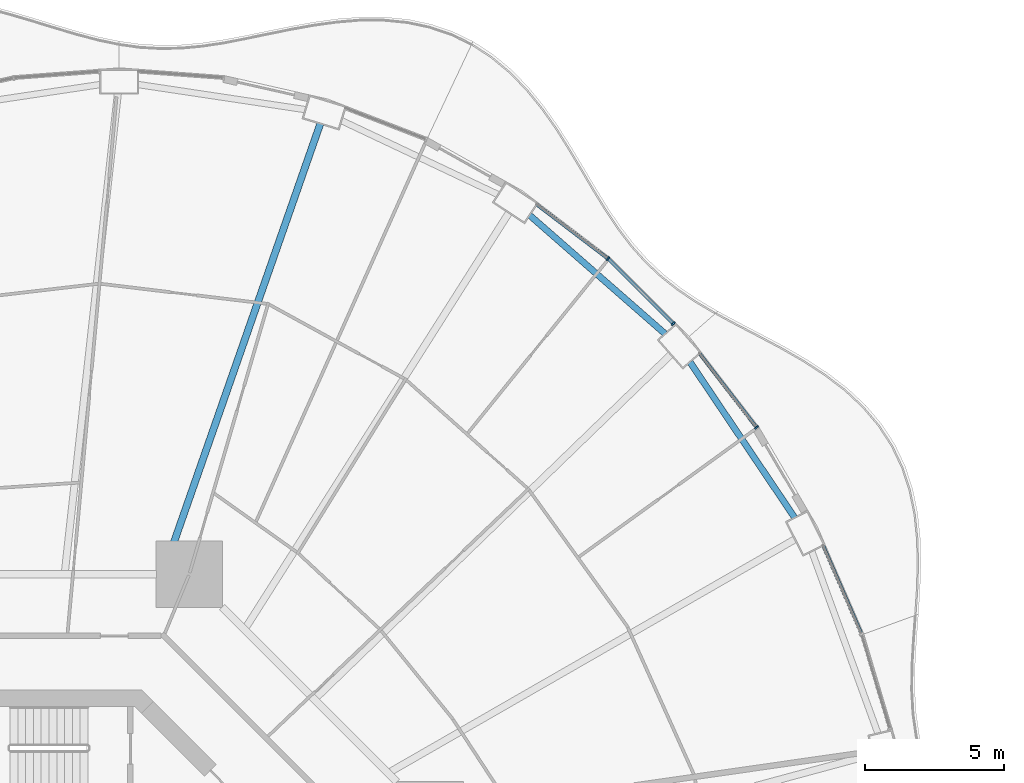
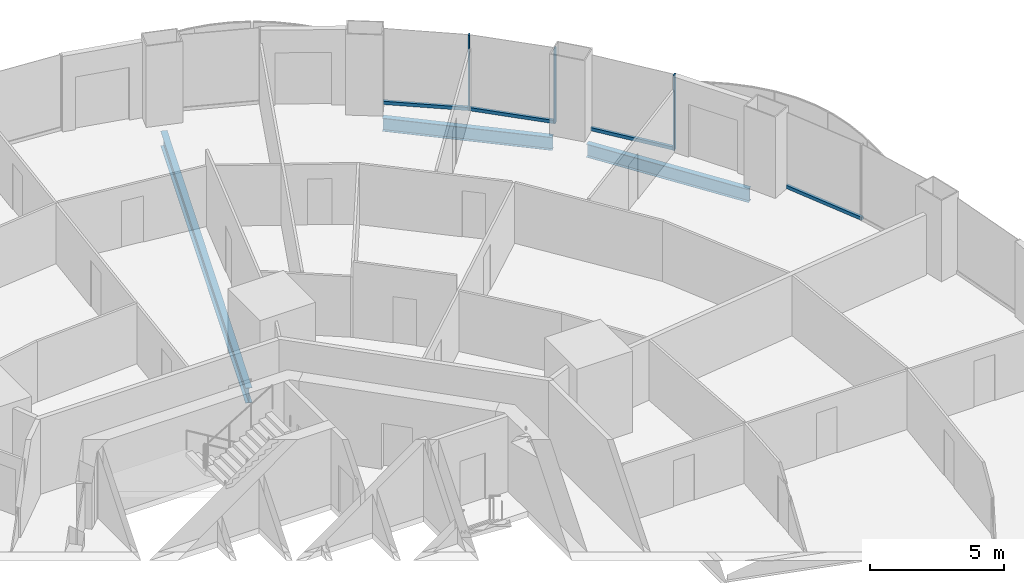
# One storey, part 10 of 23: 7 members, 3 beams, 4 elements without a shape of their own.
"""IFC4 building model written with IfcOpenShell, lengths in metres."""

from ifc_helpers import new_model, si_unit, direction, frame, origin, origin_2d, place, context, subcontext, project, spatial, rectangle, i_section, extrude, material, layer, layer_set, material_profile, profile_set, type_object, element, aggregate, save


model = new_model("IFC4")

# Units and contexts
model_context = context("Model", 3, precision=1e-05, world=origin(), true_north=direction((0.0, 1.0)))
body_context = subcontext(model_context, "Body", "Model", "MODEL_VIEW")
ifc_project = project(units=[si_unit("LENGTHUNIT", "METRE"), si_unit("AREAUNIT", "SQUARE_METRE"), si_unit("VOLUMEUNIT", "CUBIC_METRE"), si_unit("PLANEANGLEUNIT", "RADIAN"), si_unit("MASSUNIT", "GRAM", prefix="KILO")], contexts=[model_context])

# Site, building, storey
site_placement = place(None, origin())
site = spatial("IfcSite", under=ifc_project, at=site_placement, CompositionType="ELEMENT")
building_placement = place(site_placement, origin())
building = spatial("IfcBuilding", under=site, at=building_placement, Name="Nagisa Residences", CompositionType="ELEMENT")
storey_placement = place(building_placement, frame((0.0, 0.0, 56.60009765625)))
storey = spatial("IfcBuildingStorey", under=building, at=storey_placement, Name="L13", CompositionType="ELEMENT", Elevation=56.60009765625)

# Curtain wall, member
ifc_material_1 = material(Name="Concrete-coloured aluminium curtain wall system", Category="concrete")
ifc_layer = layer(ifc_material_1, 0.159912109375)
ifc_layer_set = layer_set([ifc_layer], Name="CW1 CURTAIN WALL")
curtain_wall_type = type_object("IfcCurtainWallType", Name="CW1 CURTAIN WALL", PredefinedType="NOTDEFINED", material=ifc_layer_set)
curtain_wall_1_placement = place(storey_placement, origin())
curtain_wall_1 = element("IfcCurtainWall", 1, at=curtain_wall_1_placement, inside=storey, type_object=curtain_wall_type, Name="cw:CW1:L13:05", PredefinedType="NOTDEFINED")
ifc_material_2 = material(Name="Concrete-coloured aluminium", Category="concrete")
ifc_material_profile_1 = material_profile(ifc_material_2, rectangle(XDim=0.159912109375, YDim=0.06005859375, at=origin_2d()), Name="CW1 MULLION 160x60")
ifc_profile_set_1 = profile_set([ifc_material_profile_1], Name="Concrete-coloured aluminium")
member_type_1 = type_object("IfcMemberType", Name="CW1 MULLION 160x60", PredefinedType="MULLION", material=ifc_profile_set_1)
member_1_placement = place(storey_placement, frame((26.525634765625, 20.06396484375, 0.0), z_axis=(0.0, 0.0, 1.0), x_axis=(-0.792070340816, -0.610429828235, 0.0)))
member_1 = element("IfcMember", 2, at=member_1_placement, type_object=member_type_1, Name="CW1 mullion", PredefinedType="MULLION", context=body_context, shape_type="SweptSolid", body=[
    extrude(rectangle(XDim=0.159912109375, YDim=0.06005859375, at=origin_2d()), origin(), (0.0, 0.0, 1.0), 3.43994140625),
])

curtain_wall_2_placement = place(storey_placement, origin())
curtain_wall_2 = element("IfcCurtainWall", 3, at=curtain_wall_2_placement, inside=storey, type_object=curtain_wall_type, Name="cw:CW1:L13:06", PredefinedType="NOTDEFINED")
member_2_placement = place(storey_placement, frame((23.532958984375, 23.79345703125, 0.0), z_axis=(0.0, 0.0, 1.0), x_axis=(-0.706376885714, -0.707835924016, 0.0)))
member_2 = element("IfcMember", 4, at=member_2_placement, type_object=member_type_1, Name="CW1 mullion", PredefinedType="MULLION", context=body_context, shape_type="SweptSolid", body=[
    extrude(rectangle(XDim=0.159912109375, YDim=0.06005859375, at=origin_2d()), origin(), (0.0, 0.0, 1.0), 3.43994140625),
])

curtain_wall_3_placement = place(storey_placement, origin())
curtain_wall_3 = element("IfcCurtainWall", 5, at=curtain_wall_3_placement, inside=storey, type_object=curtain_wall_type, Name="cw:CW1:L13:07", PredefinedType="NOTDEFINED")
member_3_placement = place(storey_placement, frame((21.181884765625, 26.13525390625, 0.0), z_axis=(0.0, 0.0, 1.0), x_axis=(-0.605255421737, -0.79603132756, 0.0)))
member_3 = element("IfcMember", 6, at=member_3_placement, type_object=member_type_1, Name="CW1 mullion", PredefinedType="MULLION", context=body_context, shape_type="SweptSolid", body=[
    extrude(rectangle(XDim=0.159912109375, YDim=0.06005859375, at=origin_2d()), origin(), (0.0, 0.0, 1.0), 3.43994140625),
])

curtain_wall_4_placement = place(storey_placement, origin())
curtain_wall_4 = element("IfcCurtainWall", 7, at=curtain_wall_4_placement, inside=storey, type_object=curtain_wall_type, Name="cw:CW1:L13:03", PredefinedType="NOTDEFINED")
ifc_material_3 = material(Name="Concrete-coloured aluminium", Category="concrete")
ifc_material_profile_2 = material_profile(ifc_material_3, rectangle(XDim=0.1201171875, YDim=0.14990234375, at=origin_2d()), Name="CW1 TRANSOM 120x150")
ifc_profile_set_2 = profile_set([ifc_material_profile_2], Name="Concrete-coloured aluminium")
member_type_2 = type_object("IfcMemberType", Name="CW1 TRANSOM 120x150", PredefinedType="USERDEFINED", material=ifc_profile_set_2)
member_4_placement = place(storey_placement, frame((30.319091796875, 12.5966796875, 0.074951171875), z_axis=(-0.397624958345, 0.917548032803, 0.0), x_axis=(-0.917548032803, -0.397624958345, 0.0)))
member_4 = element("IfcMember", 8, at=member_4_placement, type_object=member_type_2, Name="CW1 transom", ObjectType="TRANSOM", PredefinedType="USERDEFINED", context=body_context, shape_type="SweptSolid", body=[
    extrude(rectangle(XDim=0.1201171875, YDim=0.14990234375, at=origin_2d()), origin(), (0.0, 0.0, 1.0), 3.51953125),
])
aggregate(curtain_wall_4, [member_4])

# Member
member_5_placement = place(storey_placement, frame((26.5439453125, 20.040283203125, 0.074951171875), z_axis=(-0.610457147657, 0.792049285635, 0.0), x_axis=(-0.792049285635, -0.610457147657, 0.0)))
member_5 = element("IfcMember", 9, at=member_5_placement, type_object=member_type_2, Name="CW1 transom", ObjectType="TRANSOM", PredefinedType="USERDEFINED", context=body_context, shape_type="SweptSolid", body=[
    extrude(rectangle(XDim=0.1201171875, YDim=0.14990234375, at=origin_2d()), origin(), (0.0, 0.0, 1.0), 3.3974609375),
])

aggregate(curtain_wall_1, [member_1, member_5])

member_6_placement = place(storey_placement, frame((23.55419921875, 23.7724609375, 0.074951171875), z_axis=(-0.707876350734, 0.706336373176, 0.0), x_axis=(-0.706336373176, -0.707876350734, 0.0)))
member_6 = element("IfcMember", 10, at=member_6_placement, type_object=member_type_2, Name="CW1 transom", ObjectType="TRANSOM", PredefinedType="USERDEFINED", context=body_context, shape_type="SweptSolid", body=[
    extrude(rectangle(XDim=0.1201171875, YDim=0.14990234375, at=origin_2d()), origin(), (0.0, 0.0, 1.0), 3.329345703125),
])

aggregate(curtain_wall_2, [member_2, member_6])

member_7_placement = place(storey_placement, frame((21.20556640625, 26.116943359375, 0.074951171875), z_axis=(-0.79599487499, 0.605303361125, 0.0), x_axis=(-0.605303361125, -0.79599487499, 0.0)))
member_7 = element("IfcMember", 11, at=member_7_placement, type_object=member_type_2, Name="CW1 transom", ObjectType="TRANSOM", PredefinedType="USERDEFINED", context=body_context, shape_type="SweptSolid", body=[
    extrude(rectangle(XDim=0.1201171875, YDim=0.14990234375, at=origin_2d()), origin(), (0.0, 0.0, 1.0), 3.26220703125),
])

aggregate(curtain_wall_3, [member_3, member_7])

# Beams
ifc_material_4 = material(Name="Steel ASTM A572 Gr 50", Category="steel")
ifc_material_profile_3 = material_profile(ifc_material_4, i_section(OverallWidth=0.22802734375, OverallDepth=0.60302734375, WebThickness=0.010498046875, FlangeThickness=0.014892578125, at=origin_2d()), Name="W610x101")
ifc_profile_set_3 = profile_set([ifc_material_profile_3], Name="Steel ASTM A572 Gr 50")
beam_type_1 = type_object("IfcBeamType", Name="Perimeter ring beam W610x101", PredefinedType="BEAM", material=ifc_profile_set_3)
beam_1_placement = place(storey_placement, frame((27.899169921875, 16.818603515625, -0.5615234375), z_axis=(-0.558271879663, 0.829658067144, 0.0), x_axis=(-0.829658067144, -0.558271879663, 0.0)))
element("IfcBeam", 12, at=beam_1_placement, inside=storey, type_object=beam_type_1, Name="beam:L13:pb03", PredefinedType="BEAM", context=body_context, shape_type="SweptSolid", body=[
    extrude(i_section(OverallWidth=0.22802734375, OverallDepth=0.60302734375, WebThickness=0.010498046875, FlangeThickness=0.014892578125, at=origin_2d()), origin(), (0.0, 0.0, 1.0), 6.74169921875),
])
beam_2_placement = place(storey_placement, frame((23.236328125, 23.432861328125, -0.5615234375), z_axis=(-0.7525907186, 0.658488580217, 0.0), x_axis=(-0.658488580217, -0.7525907186, 0.0)))
element("IfcBeam", 13, at=beam_2_placement, inside=storey, type_object=beam_type_1, Name="beam:L13:pb04", PredefinedType="BEAM", context=body_context, shape_type="SweptSolid", body=[
    extrude(i_section(OverallWidth=0.22802734375, OverallDepth=0.60302734375, WebThickness=0.010498046875, FlangeThickness=0.014892578125, at=origin_2d()), origin(), (0.0, 0.0, 1.0), 6.470458984375),
])
ifc_material_5 = material(Name="Steel ASTM A572 Gr 50", Category="steel")
ifc_material_profile_4 = material_profile(ifc_material_5, i_section(OverallWidth=0.25390625, OverallDepth=0.68408203125, WebThickness=0.012451171875, FlangeThickness=0.018798828125, at=origin_2d()), Name="W690x140")
ifc_profile_set_4 = profile_set([ifc_material_profile_4], Name="Steel ASTM A572 Gr 50")
beam_type_2 = type_object("IfcBeamType", Name="Radial beam W690x140", PredefinedType="BEAM", material=ifc_profile_set_4)
beam_3_placement = place(storey_placement, frame((10.834228515625, 30.986328125, -0.60205078125), z_axis=(-0.330051195485, -0.943963033364, 0.0), x_axis=(0.943963033364, -0.330051195485, 0.0)))
element("IfcBeam", 14, at=beam_3_placement, inside=storey, type_object=beam_type_2, Name="beam:L13:rb06", PredefinedType="BEAM", context=body_context, shape_type="SweptSolid", body=[
    extrude(i_section(OverallWidth=0.25390625, OverallDepth=0.68408203125, WebThickness=0.012451171875, FlangeThickness=0.018798828125, at=origin_2d()), origin(), (0.0, 0.0, 1.0), 17.045654296875),
])

save(model, "model.ifc")
